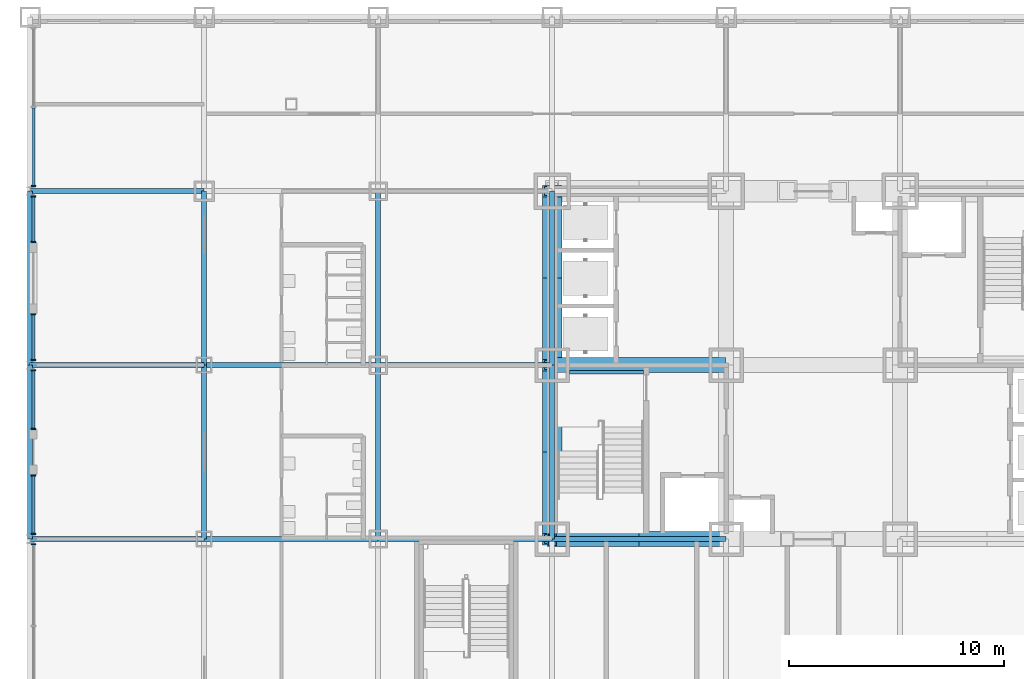
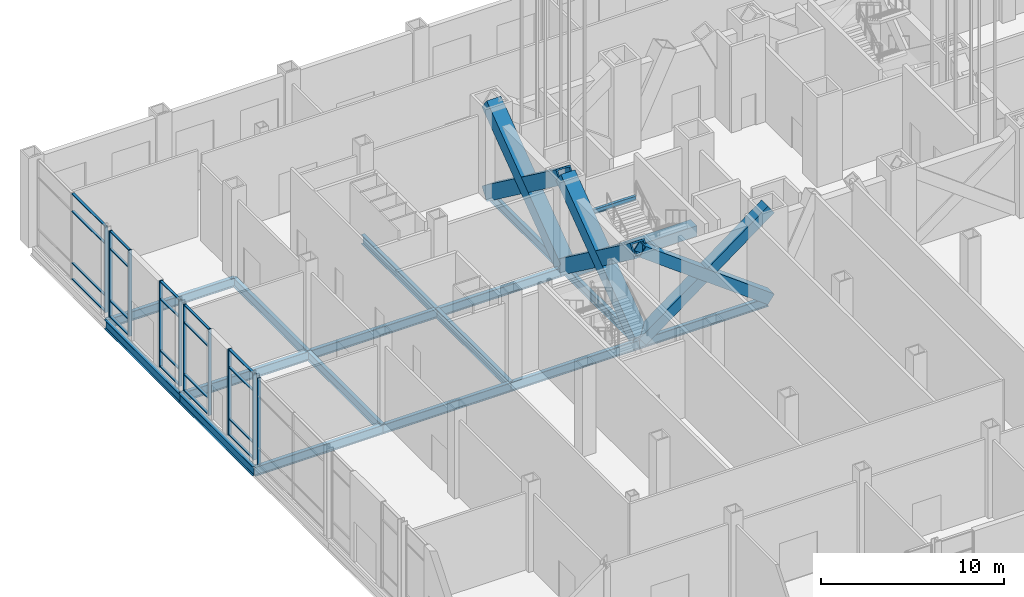
# One storey, part 14 of 35: 36 members, 18 beams, 6 elements without a shape of their own.
"""IFC4 building model written with IfcOpenShell, lengths in metres."""

from ifc_helpers import new_model, si_unit, direction, frame, origin, origin_2d, place, context, subcontext, project, spatial, rectangle, hollow_rectangle, i_section, extrude, material, material_profile, profile_set, type_object, element, aggregate, save


model = new_model("IFC4")

# Units and contexts
model_context = context("Model", 3, precision=1e-05, world=origin(), true_north=direction((0.0, 1.0)))
body_context = subcontext(model_context, "Body", "Model", "MODEL_VIEW")
ifc_project = project(units=[si_unit("LENGTHUNIT", "METRE"), si_unit("AREAUNIT", "SQUARE_METRE"), si_unit("VOLUMEUNIT", "CUBIC_METRE"), si_unit("PLANEANGLEUNIT", "RADIAN"), si_unit("MASSUNIT", "GRAM", prefix="KILO")], contexts=[model_context])

# Site, building, storey
site_placement = place(None, origin())
site = spatial("IfcSite", under=ifc_project, at=site_placement, CompositionType="ELEMENT")
building_placement = place(site_placement, origin())
building = spatial("IfcBuilding", under=site, at=building_placement, Name="Kopane Lantern Tower", CompositionType="ELEMENT")
storey_placement = place(building_placement, origin())
storey = spatial("IfcBuildingStorey", under=building, at=storey_placement, Name="L00", CompositionType="ELEMENT", Elevation=0.0)

# Members
ifc_material_1 = material(Name="Steel S355JR", Category="steel")
ifc_material_profile_1 = material_profile(ifc_material_1, hollow_rectangle(XDim=0.699951171875, YDim=0.699951171875, WallThickness=0.06005859375, at=origin_2d()), Name="BOX 700x700x60")
ifc_profile_set_1 = profile_set([ifc_material_profile_1], Name="Steel S355JR")
member_type_1 = type_object("IfcMemberType", Name="BRACE BOX 700x700x60", PredefinedType="BRACE", material=ifc_profile_set_1)
for number, where, z_axis, x_axis, name in (
    (1, (16.199951171875, 24.300048828125, -0.25), (0.803560625704, 0.0, 0.595222916912), (0.0, 1.0, 0.0), "Core brace L00"),
    (2, (24.300048828125, 24.300048828125, -0.25), (-0.803560625704, 0.0, 0.595222916912), (0.0, -1.0, 0.0), "Core brace L00"),
):
    element("IfcMember", number, at=place(storey_placement, frame(where, z_axis=z_axis, x_axis=x_axis)), inside=storey, type_object=member_type_1, Name=name, PredefinedType="BRACE", context=body_context, shape_type="SweptSolid", body=[
        extrude(hollow_rectangle(XDim=0.699951171875, YDim=0.699951171875, WallThickness=0.06005859375, at=origin_2d()), origin(), (0.0, 0.0, 1.0), 10.080322265625),
    ])
ifc_material_2 = material(Name="Steel S355JR", Category="steel")
ifc_material_profile_2 = material_profile(ifc_material_2, hollow_rectangle(XDim=0.89990234375, YDim=0.89990234375, WallThickness=0.090087890625, at=origin_2d()), Name="BOX 900x900x90")
ifc_profile_set_2 = profile_set([ifc_material_profile_2], Name="Steel S355JR")
member_type_2 = type_object("IfcMemberType", Name="BRACE BOX 900x900x90", PredefinedType="BRACE", material=ifc_profile_set_2)
for number, where, z_axis, x_axis, name in (
    (3, (16.199951171875, 24.300048828125, -0.25), (0.0, 0.803552044655, 0.595234501294), (-1.0, 0.0, 0.0), "Core brace L00"),
    (4, (16.199951171875, 32.39990234375, -0.25), (0.0, -0.803552044655, 0.595234501294), (1.0, 0.0, 0.0), "Core brace L00"),
):
    element("IfcMember", number, at=place(storey_placement, frame(where, z_axis=z_axis, x_axis=x_axis)), inside=storey, type_object=member_type_2, Name=name, PredefinedType="BRACE", context=body_context, shape_type="SweptSolid", body=[
        extrude(hollow_rectangle(XDim=0.89990234375, YDim=0.89990234375, WallThickness=0.090087890625, at=origin_2d()), origin(), (0.0, 0.0, 1.0), 10.080078125),
    ])
for number, where, z_axis, x_axis, name in (
    (5, (16.199951171875, 32.39990234375, -0.25), (0.0, 0.803560625704, 0.595222916912), (-1.0, 0.0, 0.0), "Core brace L00"),
    (6, (16.199951171875, 40.5, -0.25), (0.0, -0.803560625704, 0.595222916912), (1.0, 0.0, 0.0), "Core brace L00"),
):
    element("IfcMember", number, at=place(storey_placement, frame(where, z_axis=z_axis, x_axis=x_axis)), inside=storey, type_object=member_type_2, Name=name, PredefinedType="BRACE", context=body_context, shape_type="SweptSolid", body=[
        extrude(hollow_rectangle(XDim=0.89990234375, YDim=0.89990234375, WallThickness=0.090087890625, at=origin_2d()), origin(), (0.0, 0.0, 1.0), 10.080322265625),
    ])

# Beams
ifc_material_3 = material(Name="Steel S355JR", Category="steel")
ifc_material_profile_3 = material_profile(ifc_material_3, hollow_rectangle(XDim=0.699951171875, YDim=0.699951171875, WallThickness=0.06005859375, at=origin_2d()), Name="BOX 700x700x60")
ifc_profile_set_3 = profile_set([ifc_material_profile_3], Name="Steel S355JR")
beam_type_1 = type_object("IfcBeamType", Name="CORE BEAM BOX 700x700x60", PredefinedType="BEAM", material=ifc_profile_set_3)
beam_1_placement = place(storey_placement, frame((16.199951171875, 32.39990234375, -0.60009765625), z_axis=(1.0, 0.0, 0.0), x_axis=(0.0, 1.0, 0.0)))
element("IfcBeam", 7, at=beam_1_placement, inside=storey, type_object=beam_type_1, Name="Core Beam L00", PredefinedType="BEAM", context=body_context, shape_type="SweptSolid", body=[
    extrude(hollow_rectangle(XDim=0.699951171875, YDim=0.699951171875, WallThickness=0.06005859375, at=origin_2d()), origin(), (0.0, 0.0, 1.0), 8.10009765625),
])
ifc_material_4 = material(Name="Steel S355JR", Category="steel")
ifc_material_profile_4 = material_profile(ifc_material_4, i_section(OverallWidth=0.22900390625, OverallDepth=0.6123046875, WebThickness=0.011962890625, FlangeThickness=0.01953125, FilletRadius=0.0126953125, at=origin_2d()), Name="UB 610x229x125")
ifc_profile_set_4 = profile_set([ifc_material_profile_4], Name="Steel S355JR")
beam_type_2 = type_object("IfcBeamType", Name="GIRDER UB 610x229x125", PredefinedType="BEAM", material=ifc_profile_set_4)
beam_2_placement = place(storey_placement, frame((-8.10009765625, 24.300048828125, -0.55615234375), z_axis=(0.0, 1.0, 0.0), x_axis=(-1.0, 0.0, 0.0)))
element("IfcBeam", 8, at=beam_2_placement, inside=storey, type_object=beam_type_2, Name="Girder L00", PredefinedType="BEAM", context=body_context, shape_type="SweptSolid", body=[
    extrude(i_section(OverallWidth=0.22900390625, OverallDepth=0.6123046875, WebThickness=0.011962890625, FlangeThickness=0.01953125, FilletRadius=0.0126953125, at=origin_2d()), origin(), (0.0, 0.0, 1.0), 8.099853515625),
])
for number, where, z_axis, x_axis, name in (
    (9, (-8.10009765625, 24.300048828125, -0.55615234375), (1.0, 0.0, 0.0), (0.0, 1.0, 0.0), "Girder L00"),
    (10, (-8.10009765625, 32.39990234375, -0.55615234375), (0.0, 1.0, 0.0), (-1.0, 0.0, 0.0), "Girder L00"),
    (11, (-8.10009765625, 32.39990234375, -0.55615234375), (1.0, 0.0, 0.0), (0.0, 1.0, 0.0), "Girder L00"),
    (12, (-8.10009765625, 40.5, -0.55615234375), (1.0, 0.0, 0.0), (0.0, 1.0, 0.0), "Girder L00"),
):
    element("IfcBeam", number, at=place(storey_placement, frame(where, z_axis=z_axis, x_axis=x_axis)), inside=storey, type_object=beam_type_2, Name=name, PredefinedType="BEAM", context=body_context, shape_type="SweptSolid", body=[
        extrude(i_section(OverallWidth=0.22900390625, OverallDepth=0.6123046875, WebThickness=0.011962890625, FlangeThickness=0.01953125, FilletRadius=0.0126953125, at=origin_2d()), origin(), (0.0, 0.0, 1.0), 8.10009765625),
    ])
beam_3_placement = place(storey_placement, frame((0.0, 24.300048828125, -0.55615234375), z_axis=(0.0, 1.0, 0.0), x_axis=(-1.0, 0.0, 0.0)))
element("IfcBeam", 13, at=beam_3_placement, inside=storey, type_object=beam_type_2, Name="Girder L00", PredefinedType="BEAM", context=body_context, shape_type="SweptSolid", body=[
    extrude(i_section(OverallWidth=0.22900390625, OverallDepth=0.6123046875, WebThickness=0.011962890625, FlangeThickness=0.01953125, FilletRadius=0.0126953125, at=origin_2d()), origin(), (0.0, 0.0, 1.0), 8.099853515625),
])
for number, where, z_axis, x_axis, name in (
    (14, (0.0, 24.300048828125, -0.55615234375), (1.0, 0.0, 0.0), (0.0, 1.0, 0.0), "Girder L00"),
    (15, (0.0, 32.39990234375, -0.55615234375), (0.0, 1.0, 0.0), (-1.0, 0.0, 0.0), "Girder L00"),
    (16, (0.0, 32.39990234375, -0.55615234375), (1.0, 0.0, 0.0), (0.0, 1.0, 0.0), "Girder L00"),
):
    element("IfcBeam", number, at=place(storey_placement, frame(where, z_axis=z_axis, x_axis=x_axis)), inside=storey, type_object=beam_type_2, Name=name, PredefinedType="BEAM", context=body_context, shape_type="SweptSolid", body=[
        extrude(i_section(OverallWidth=0.22900390625, OverallDepth=0.6123046875, WebThickness=0.011962890625, FlangeThickness=0.01953125, FilletRadius=0.0126953125, at=origin_2d()), origin(), (0.0, 0.0, 1.0), 8.10009765625),
    ])
for number, where, z_axis, x_axis, name in (
    (17, (8.10009765625, 24.300048828125, -0.55615234375), (0.0, 1.0, 0.0), (-1.0, 0.0, 0.0), "Girder L00"),
    (18, (8.10009765625, 24.300048828125, -0.55615234375), (1.0, 0.0, 0.0), (0.0, 1.0, 0.0), "Girder L00"),
):
    element("IfcBeam", number, at=place(storey_placement, frame(where, z_axis=z_axis, x_axis=x_axis)), inside=storey, type_object=beam_type_2, Name=name, PredefinedType="BEAM", context=body_context, shape_type="SweptSolid", body=[
        extrude(i_section(OverallWidth=0.22900390625, OverallDepth=0.6123046875, WebThickness=0.011962890625, FlangeThickness=0.01953125, FilletRadius=0.0126953125, at=origin_2d()), origin(), (0.0, 0.0, 1.0), 8.099853515625),
    ])
beam_4_placement = place(storey_placement, frame((8.10009765625, 32.39990234375, -0.55615234375), z_axis=(0.0, 1.0, 0.0), x_axis=(-1.0, 0.0, 0.0)))
element("IfcBeam", 19, at=beam_4_placement, inside=storey, type_object=beam_type_2, Name="Girder L00", PredefinedType="BEAM", context=body_context, shape_type="SweptSolid", body=[
    extrude(i_section(OverallWidth=0.22900390625, OverallDepth=0.6123046875, WebThickness=0.011962890625, FlangeThickness=0.01953125, FilletRadius=0.0126953125, at=origin_2d()), origin(), (0.0, 0.0, 1.0), 8.10009765625),
])
for number, where, z_axis, x_axis, name in (
    (20, (8.10009765625, 32.39990234375, -0.55615234375), (1.0, 0.0, 0.0), (0.0, 1.0, 0.0), "Girder L00"),
    (21, (16.199951171875, 24.300048828125, -0.55615234375), (0.0, 1.0, 0.0), (-1.0, 0.0, 0.0), "Girder L00"),
):
    element("IfcBeam", number, at=place(storey_placement, frame(where, z_axis=z_axis, x_axis=x_axis)), inside=storey, type_object=beam_type_2, Name=name, PredefinedType="BEAM", context=body_context, shape_type="SweptSolid", body=[
        extrude(i_section(OverallWidth=0.22900390625, OverallDepth=0.6123046875, WebThickness=0.011962890625, FlangeThickness=0.01953125, FilletRadius=0.0126953125, at=origin_2d()), origin(), (0.0, 0.0, 1.0), 8.099853515625),
    ])
for number, where, z_axis, x_axis, name in (
    (22, (16.199951171875, 24.300048828125, -0.55615234375), (1.0, 0.0, 0.0), (0.0, 1.0, 0.0), "Girder L00"),
    (23, (16.199951171875, 32.39990234375, -0.55615234375), (0.0, 1.0, 0.0), (-1.0, 0.0, 0.0), "Girder L00"),
):
    element("IfcBeam", number, at=place(storey_placement, frame(where, z_axis=z_axis, x_axis=x_axis)), inside=storey, type_object=beam_type_2, Name=name, PredefinedType="BEAM", context=body_context, shape_type="SweptSolid", body=[
        extrude(i_section(OverallWidth=0.22900390625, OverallDepth=0.6123046875, WebThickness=0.011962890625, FlangeThickness=0.01953125, FilletRadius=0.0126953125, at=origin_2d()), origin(), (0.0, 0.0, 1.0), 8.10009765625),
    ])

# Curtain wall, member
ifc_material_5 = material(Name="Aluminium and clear glass", Category="aluminium")
curtain_wall_type = type_object("IfcCurtainWallType", Name="CURTAIN WALL CW1 PODIUM STOREFRONT", PredefinedType="USERDEFINED", material=ifc_material_5)
curtain_wall_1_placement = place(storey_placement, origin())
curtain_wall_1 = element("IfcCurtainWall", 24, at=curtain_wall_1_placement, inside=storey, type_object=curtain_wall_type, Name="Curtain wall CW1 W L00", ObjectType="CURTAIN WALL", PredefinedType="USERDEFINED")
ifc_material_6 = material(Name="Aluminium", Category="aluminium")
ifc_material_profile_5 = material_profile(ifc_material_6, rectangle(XDim=0.06494140625, YDim=0.199951171875, at=origin_2d()), Name="AL 65x200")
ifc_profile_set_5 = profile_set([ifc_material_profile_5], Name="Aluminium")
member_type_3 = type_object("IfcMemberType", Name="MULLION CW1-M 65x200", PredefinedType="MULLION", material=ifc_profile_set_5)
member_1_placement = place(storey_placement, frame((-7.949951171875, 40.74072265625, 0.0), z_axis=(0.0, 0.0, 1.0), x_axis=(0.0, -1.0, 0.0)))
member_1 = element("IfcMember", 25, at=member_1_placement, type_object=member_type_3, Name="CW1 mullion 3", PredefinedType="MULLION", context=body_context, shape_type="SweptSolid", body=[
    extrude(rectangle(XDim=0.06494140625, YDim=0.199951171875, at=origin_2d()), origin(), (0.0, 0.0, 1.0), 5.75),
])

# Curtain wall, members
curtain_wall_2_placement = place(storey_placement, origin())
curtain_wall_2 = element("IfcCurtainWall", 26, at=curtain_wall_2_placement, inside=storey, type_object=curtain_wall_type, Name="Curtain wall CW1 W L00", ObjectType="CURTAIN WALL", PredefinedType="USERDEFINED")
member_2_placement = place(storey_placement, frame((-7.949951171875, 40.25927734375, 0.0), z_axis=(0.0, 0.0, 1.0), x_axis=(0.0, -1.0, 0.0)))
member_2 = element("IfcMember", 27, at=member_2_placement, type_object=member_type_3, Name="CW1 mullion 1", PredefinedType="MULLION", context=body_context, shape_type="SweptSolid", body=[
    extrude(rectangle(XDim=0.06494140625, YDim=0.199951171875, at=origin_2d()), origin(), (0.0, 0.0, 1.0), 5.75),
])
member_3_placement = place(storey_placement, frame((-7.949951171875, 38.132568359375, 0.0), z_axis=(0.0, 0.0, 1.0), x_axis=(0.0, -1.0, 0.0)))
member_3 = element("IfcMember", 28, at=member_3_placement, type_object=member_type_3, Name="CW1 mullion 2", PredefinedType="MULLION", context=body_context, shape_type="SweptSolid", body=[
    extrude(rectangle(XDim=0.06494140625, YDim=0.199951171875, at=origin_2d()), origin(), (0.0, 0.0, 1.0), 5.75),
])

curtain_wall_3_placement = place(storey_placement, origin())
curtain_wall_3 = element("IfcCurtainWall", 29, at=curtain_wall_3_placement, inside=storey, type_object=curtain_wall_type, Name="Curtain wall CW1 W L00", ObjectType="CURTAIN WALL", PredefinedType="USERDEFINED")
member_4_placement = place(storey_placement, frame((-7.949951171875, 34.767578125, 0.0), z_axis=(0.0, 0.0, 1.0), x_axis=(0.0, -1.0, 0.0)))
member_4 = element("IfcMember", 30, at=member_4_placement, type_object=member_type_3, Name="CW1 mullion 1", PredefinedType="MULLION", context=body_context, shape_type="SweptSolid", body=[
    extrude(rectangle(XDim=0.06494140625, YDim=0.199951171875, at=origin_2d()), origin(), (0.0, 0.0, 1.0), 5.75),
])
member_5_placement = place(storey_placement, frame((-7.949951171875, 32.640625, 0.0), z_axis=(0.0, 0.0, 1.0), x_axis=(0.0, -1.0, 0.0)))
member_5 = element("IfcMember", 31, at=member_5_placement, type_object=member_type_3, Name="CW1 mullion 2", PredefinedType="MULLION", context=body_context, shape_type="SweptSolid", body=[
    extrude(rectangle(XDim=0.06494140625, YDim=0.199951171875, at=origin_2d()), origin(), (0.0, 0.0, 1.0), 5.75),
])

curtain_wall_4_placement = place(storey_placement, origin())
curtain_wall_4 = element("IfcCurtainWall", 32, at=curtain_wall_4_placement, inside=storey, type_object=curtain_wall_type, Name="Curtain wall CW1 W L00", ObjectType="CURTAIN WALL", PredefinedType="USERDEFINED")
member_6_placement = place(storey_placement, frame((-7.949951171875, 32.1591796875, 0.0), z_axis=(0.0, 0.0, 1.0), x_axis=(0.0, -1.0, 0.0)))
member_6 = element("IfcMember", 33, at=member_6_placement, type_object=member_type_3, Name="CW1 mullion 1", PredefinedType="MULLION", context=body_context, shape_type="SweptSolid", body=[
    extrude(rectangle(XDim=0.06494140625, YDim=0.199951171875, at=origin_2d()), origin(), (0.0, 0.0, 1.0), 5.75),
])
member_7_placement = place(storey_placement, frame((-7.949951171875, 29.4326171875, 0.0), z_axis=(0.0, 0.0, 1.0), x_axis=(0.0, -1.0, 0.0)))
member_7 = element("IfcMember", 34, at=member_7_placement, type_object=member_type_3, Name="CW1 mullion 2", PredefinedType="MULLION", context=body_context, shape_type="SweptSolid", body=[
    extrude(rectangle(XDim=0.06494140625, YDim=0.199951171875, at=origin_2d()), origin(), (0.0, 0.0, 1.0), 5.75),
])

curtain_wall_5_placement = place(storey_placement, origin())
curtain_wall_5 = element("IfcCurtainWall", 35, at=curtain_wall_5_placement, inside=storey, type_object=curtain_wall_type, Name="Curtain wall CW1 W L00", ObjectType="CURTAIN WALL", PredefinedType="USERDEFINED")
member_8_placement = place(storey_placement, frame((-7.949951171875, 27.267578125, 0.0), z_axis=(0.0, 0.0, 1.0), x_axis=(0.0, -1.0, 0.0)))
member_8 = element("IfcMember", 36, at=member_8_placement, type_object=member_type_3, Name="CW1 mullion 1", PredefinedType="MULLION", context=body_context, shape_type="SweptSolid", body=[
    extrude(rectangle(XDim=0.06494140625, YDim=0.199951171875, at=origin_2d()), origin(), (0.0, 0.0, 1.0), 5.75),
])
member_9_placement = place(storey_placement, frame((-7.949951171875, 24.540771484375, 0.0), z_axis=(0.0, 0.0, 1.0), x_axis=(0.0, -1.0, 0.0)))
member_9 = element("IfcMember", 37, at=member_9_placement, type_object=member_type_3, Name="CW1 mullion 2", PredefinedType="MULLION", context=body_context, shape_type="SweptSolid", body=[
    extrude(rectangle(XDim=0.06494140625, YDim=0.199951171875, at=origin_2d()), origin(), (0.0, 0.0, 1.0), 5.75),
])

# Curtain wall, member
curtain_wall_6_placement = place(storey_placement, origin())
curtain_wall_6 = element("IfcCurtainWall", 38, at=curtain_wall_6_placement, inside=storey, type_object=curtain_wall_type, Name="Curtain wall CW1 W L00", ObjectType="CURTAIN WALL", PredefinedType="USERDEFINED")
member_10_placement = place(storey_placement, frame((-7.949951171875, 24.059326171875, 0.0), z_axis=(0.0, 0.0, 1.0), x_axis=(0.0, -1.0, 0.0)))
member_10 = element("IfcMember", 39, at=member_10_placement, type_object=member_type_3, Name="CW1 mullion 1", PredefinedType="MULLION", context=body_context, shape_type="SweptSolid", body=[
    extrude(rectangle(XDim=0.06494140625, YDim=0.199951171875, at=origin_2d()), origin(), (0.0, 0.0, 1.0), 5.75),
])
aggregate(curtain_wall_6, [member_10])

# Beam
ifc_material_7 = material(Name="Steel S355JR", Category="steel")
ifc_material_profile_6 = material_profile(ifc_material_7, i_section(OverallWidth=0.1650390625, OverallDepth=0.303466796875, WebThickness=0.006103515625, FlangeThickness=0.01025390625, FilletRadius=0.0087890625, at=origin_2d()), Name="UB 305x165x40")
ifc_profile_set_6 = profile_set([ifc_material_profile_6], Name="Steel S355JR")
beam_type_3 = type_object("IfcBeamType", Name="STAIR LANDING BEAM UB 305x165x40", PredefinedType="BEAM", material=ifc_profile_set_6)
beam_5_placement = place(storey_placement, frame((17.0, 32.0673828125, 2.981689453125), z_axis=(1.0, 0.0, 0.0), x_axis=(0.0, 1.0, 0.0)))
element("IfcBeam", 40, at=beam_5_placement, inside=storey, type_object=beam_type_3, Name="Stair landing beam ST1 L00", PredefinedType="BEAM", context=body_context, shape_type="SweptSolid", body=[
    extrude(i_section(OverallWidth=0.1650390625, OverallDepth=0.303466796875, WebThickness=0.006103515625, FlangeThickness=0.01025390625, FilletRadius=0.0087890625, at=origin_2d()), origin(), (0.0, 0.0, 1.0), 3.449951171875),
])

# Member
ifc_material_8 = material(Name="Aluminium", Category="aluminium")
ifc_material_profile_7 = material_profile(ifc_material_8, rectangle(XDim=0.14990234375, YDim=0.06494140625, at=origin_2d()), Name="AL 150x65")
ifc_profile_set_7 = profile_set([ifc_material_profile_7], Name="Aluminium")
member_type_4 = type_object("IfcMemberType", Name="TRANSOM CW1-T 65x150", PredefinedType="USERDEFINED", material=ifc_profile_set_7)
member_11_placement = place(storey_placement, frame((-7.949951171875, 44.381591796875, 0.032470703125), z_axis=(0.0, -1.0, 0.0), x_axis=(1.0, 0.0, 0.0)))
member_11 = element("IfcMember", 41, at=member_11_placement, type_object=member_type_4, Name="CW1 transom 2.1", ObjectType="TRANSOM", PredefinedType="USERDEFINED", context=body_context, shape_type="SweptSolid", body=[
    extrude(rectangle(XDim=0.14990234375, YDim=0.06494140625, at=origin_2d()), origin(), (0.0, 0.0, 1.0), 3.6083984375),
])

member_12_placement = place(storey_placement, frame((-7.949951171875, 44.381591796875, 1.10009765625), z_axis=(0.0, -1.0, 0.0), x_axis=(1.0, 0.0, 0.0)))
member_12 = element("IfcMember", 42, at=member_12_placement, type_object=member_type_4, Name="CW1 transom 2.2", ObjectType="TRANSOM", PredefinedType="USERDEFINED", context=body_context, shape_type="SweptSolid", body=[
    extrude(rectangle(XDim=0.14990234375, YDim=0.06494140625, at=origin_2d()), origin(), (0.0, 0.0, 1.0), 3.6083984375),
])

member_13_placement = place(storey_placement, frame((-7.949951171875, 44.381591796875, 4.550048828125), z_axis=(0.0, -1.0, 0.0), x_axis=(1.0, 0.0, 0.0)))
member_13 = element("IfcMember", 43, at=member_13_placement, type_object=member_type_4, Name="CW1 transom 2.3", ObjectType="TRANSOM", PredefinedType="USERDEFINED", context=body_context, shape_type="SweptSolid", body=[
    extrude(rectangle(XDim=0.14990234375, YDim=0.06494140625, at=origin_2d()), origin(), (0.0, 0.0, 1.0), 3.6083984375),
])

member_14_placement = place(storey_placement, frame((-7.949951171875, 44.381591796875, 5.717529296875), z_axis=(0.0, -1.0, 0.0), x_axis=(1.0, 0.0, 0.0)))
member_14 = element("IfcMember", 44, at=member_14_placement, type_object=member_type_4, Name="CW1 transom 2.4", ObjectType="TRANSOM", PredefinedType="USERDEFINED", context=body_context, shape_type="SweptSolid", body=[
    extrude(rectangle(XDim=0.14990234375, YDim=0.06494140625, at=origin_2d()), origin(), (0.0, 0.0, 1.0), 3.6083984375),
])

aggregate(curtain_wall_1, [member_1, member_11, member_12, member_13, member_14])

member_15_placement = place(storey_placement, frame((-7.949951171875, 40.226806640625, 0.032470703125), z_axis=(0.0, -1.0, 0.0), x_axis=(1.0, 0.0, 0.0)))
member_15 = element("IfcMember", 45, at=member_15_placement, type_object=member_type_4, Name="CW1 transom 1.1", ObjectType="TRANSOM", PredefinedType="USERDEFINED", context=body_context, shape_type="SweptSolid", body=[
    extrude(rectangle(XDim=0.14990234375, YDim=0.06494140625, at=origin_2d()), origin(), (0.0, 0.0, 1.0), 2.061767578125),
])

member_16_placement = place(storey_placement, frame((-7.949951171875, 40.226806640625, 1.10009765625), z_axis=(0.0, -1.0, 0.0), x_axis=(1.0, 0.0, 0.0)))
member_16 = element("IfcMember", 46, at=member_16_placement, type_object=member_type_4, Name="CW1 transom 1.2", ObjectType="TRANSOM", PredefinedType="USERDEFINED", context=body_context, shape_type="SweptSolid", body=[
    extrude(rectangle(XDim=0.14990234375, YDim=0.06494140625, at=origin_2d()), origin(), (0.0, 0.0, 1.0), 2.061767578125),
])

member_17_placement = place(storey_placement, frame((-7.949951171875, 40.226806640625, 4.550048828125), z_axis=(0.0, -1.0, 0.0), x_axis=(1.0, 0.0, 0.0)))
member_17 = element("IfcMember", 47, at=member_17_placement, type_object=member_type_4, Name="CW1 transom 1.3", ObjectType="TRANSOM", PredefinedType="USERDEFINED", context=body_context, shape_type="SweptSolid", body=[
    extrude(rectangle(XDim=0.14990234375, YDim=0.06494140625, at=origin_2d()), origin(), (0.0, 0.0, 1.0), 2.061767578125),
])

member_18_placement = place(storey_placement, frame((-7.949951171875, 40.226806640625, 5.717529296875), z_axis=(0.0, -1.0, 0.0), x_axis=(1.0, 0.0, 0.0)))
member_18 = element("IfcMember", 48, at=member_18_placement, type_object=member_type_4, Name="CW1 transom 1.4", ObjectType="TRANSOM", PredefinedType="USERDEFINED", context=body_context, shape_type="SweptSolid", body=[
    extrude(rectangle(XDim=0.14990234375, YDim=0.06494140625, at=origin_2d()), origin(), (0.0, 0.0, 1.0), 2.061767578125),
])

aggregate(curtain_wall_2, [member_2, member_3, member_15, member_16, member_17, member_18])

member_19_placement = place(storey_placement, frame((-7.949951171875, 34.735107421875, 0.032470703125), z_axis=(0.0, -1.0, 0.0), x_axis=(1.0, 0.0, 0.0)))
member_19 = element("IfcMember", 49, at=member_19_placement, type_object=member_type_4, Name="CW1 transom 1.1", ObjectType="TRANSOM", PredefinedType="USERDEFINED", context=body_context, shape_type="SweptSolid", body=[
    extrude(rectangle(XDim=0.14990234375, YDim=0.06494140625, at=origin_2d()), origin(), (0.0, 0.0, 1.0), 2.06201171875),
])

member_20_placement = place(storey_placement, frame((-7.949951171875, 34.735107421875, 1.10009765625), z_axis=(0.0, -1.0, 0.0), x_axis=(1.0, 0.0, 0.0)))
member_20 = element("IfcMember", 50, at=member_20_placement, type_object=member_type_4, Name="CW1 transom 1.2", ObjectType="TRANSOM", PredefinedType="USERDEFINED", context=body_context, shape_type="SweptSolid", body=[
    extrude(rectangle(XDim=0.14990234375, YDim=0.06494140625, at=origin_2d()), origin(), (0.0, 0.0, 1.0), 2.06201171875),
])

member_21_placement = place(storey_placement, frame((-7.949951171875, 34.735107421875, 4.550048828125), z_axis=(0.0, -1.0, 0.0), x_axis=(1.0, 0.0, 0.0)))
member_21 = element("IfcMember", 51, at=member_21_placement, type_object=member_type_4, Name="CW1 transom 1.3", ObjectType="TRANSOM", PredefinedType="USERDEFINED", context=body_context, shape_type="SweptSolid", body=[
    extrude(rectangle(XDim=0.14990234375, YDim=0.06494140625, at=origin_2d()), origin(), (0.0, 0.0, 1.0), 2.06201171875),
])

member_22_placement = place(storey_placement, frame((-7.949951171875, 34.735107421875, 5.717529296875), z_axis=(0.0, -1.0, 0.0), x_axis=(1.0, 0.0, 0.0)))
member_22 = element("IfcMember", 52, at=member_22_placement, type_object=member_type_4, Name="CW1 transom 1.4", ObjectType="TRANSOM", PredefinedType="USERDEFINED", context=body_context, shape_type="SweptSolid", body=[
    extrude(rectangle(XDim=0.14990234375, YDim=0.06494140625, at=origin_2d()), origin(), (0.0, 0.0, 1.0), 2.06201171875),
])

aggregate(curtain_wall_3, [member_4, member_5, member_19, member_20, member_21, member_22])

member_23_placement = place(storey_placement, frame((-7.949951171875, 32.126708984375, 0.032470703125), z_axis=(0.0, -1.0, 0.0), x_axis=(1.0, 0.0, 0.0)))
member_23 = element("IfcMember", 53, at=member_23_placement, type_object=member_type_4, Name="CW1 transom 1.1", ObjectType="TRANSOM", PredefinedType="USERDEFINED", context=body_context, shape_type="SweptSolid", body=[
    extrude(rectangle(XDim=0.14990234375, YDim=0.06494140625, at=origin_2d()), origin(), (0.0, 0.0, 1.0), 2.66162109375),
])

member_24_placement = place(storey_placement, frame((-7.949951171875, 32.126708984375, 1.10009765625), z_axis=(0.0, -1.0, 0.0), x_axis=(1.0, 0.0, 0.0)))
member_24 = element("IfcMember", 54, at=member_24_placement, type_object=member_type_4, Name="CW1 transom 1.2", ObjectType="TRANSOM", PredefinedType="USERDEFINED", context=body_context, shape_type="SweptSolid", body=[
    extrude(rectangle(XDim=0.14990234375, YDim=0.06494140625, at=origin_2d()), origin(), (0.0, 0.0, 1.0), 2.66162109375),
])

member_25_placement = place(storey_placement, frame((-7.949951171875, 32.126708984375, 4.550048828125), z_axis=(0.0, -1.0, 0.0), x_axis=(1.0, 0.0, 0.0)))
member_25 = element("IfcMember", 55, at=member_25_placement, type_object=member_type_4, Name="CW1 transom 1.3", ObjectType="TRANSOM", PredefinedType="USERDEFINED", context=body_context, shape_type="SweptSolid", body=[
    extrude(rectangle(XDim=0.14990234375, YDim=0.06494140625, at=origin_2d()), origin(), (0.0, 0.0, 1.0), 2.66162109375),
])

member_26_placement = place(storey_placement, frame((-7.949951171875, 32.126708984375, 5.717529296875), z_axis=(0.0, -1.0, 0.0), x_axis=(1.0, 0.0, 0.0)))
member_26 = element("IfcMember", 56, at=member_26_placement, type_object=member_type_4, Name="CW1 transom 1.4", ObjectType="TRANSOM", PredefinedType="USERDEFINED", context=body_context, shape_type="SweptSolid", body=[
    extrude(rectangle(XDim=0.14990234375, YDim=0.06494140625, at=origin_2d()), origin(), (0.0, 0.0, 1.0), 2.66162109375),
])

aggregate(curtain_wall_4, [member_6, member_7, member_23, member_24, member_25, member_26])

member_27_placement = place(storey_placement, frame((-7.949951171875, 27.235107421875, 0.032470703125), z_axis=(0.0, -1.0, 0.0), x_axis=(1.0, 0.0, 0.0)))
member_27 = element("IfcMember", 57, at=member_27_placement, type_object=member_type_4, Name="CW1 transom 1.1", ObjectType="TRANSOM", PredefinedType="USERDEFINED", context=body_context, shape_type="SweptSolid", body=[
    extrude(rectangle(XDim=0.14990234375, YDim=0.06494140625, at=origin_2d()), origin(), (0.0, 0.0, 1.0), 2.661865234375),
])

member_28_placement = place(storey_placement, frame((-7.949951171875, 27.235107421875, 1.10009765625), z_axis=(0.0, -1.0, 0.0), x_axis=(1.0, 0.0, 0.0)))
member_28 = element("IfcMember", 58, at=member_28_placement, type_object=member_type_4, Name="CW1 transom 1.2", ObjectType="TRANSOM", PredefinedType="USERDEFINED", context=body_context, shape_type="SweptSolid", body=[
    extrude(rectangle(XDim=0.14990234375, YDim=0.06494140625, at=origin_2d()), origin(), (0.0, 0.0, 1.0), 2.661865234375),
])

member_29_placement = place(storey_placement, frame((-7.949951171875, 27.235107421875, 4.550048828125), z_axis=(0.0, -1.0, 0.0), x_axis=(1.0, 0.0, 0.0)))
member_29 = element("IfcMember", 59, at=member_29_placement, type_object=member_type_4, Name="CW1 transom 1.3", ObjectType="TRANSOM", PredefinedType="USERDEFINED", context=body_context, shape_type="SweptSolid", body=[
    extrude(rectangle(XDim=0.14990234375, YDim=0.06494140625, at=origin_2d()), origin(), (0.0, 0.0, 1.0), 2.661865234375),
])

member_30_placement = place(storey_placement, frame((-7.949951171875, 27.235107421875, 5.717529296875), z_axis=(0.0, -1.0, 0.0), x_axis=(1.0, 0.0, 0.0)))
member_30 = element("IfcMember", 60, at=member_30_placement, type_object=member_type_4, Name="CW1 transom 1.4", ObjectType="TRANSOM", PredefinedType="USERDEFINED", context=body_context, shape_type="SweptSolid", body=[
    extrude(rectangle(XDim=0.14990234375, YDim=0.06494140625, at=origin_2d()), origin(), (0.0, 0.0, 1.0), 2.661865234375),
])

aggregate(curtain_wall_5, [member_8, member_9, member_27, member_28, member_29, member_30])

save(model, "model.ifc")
